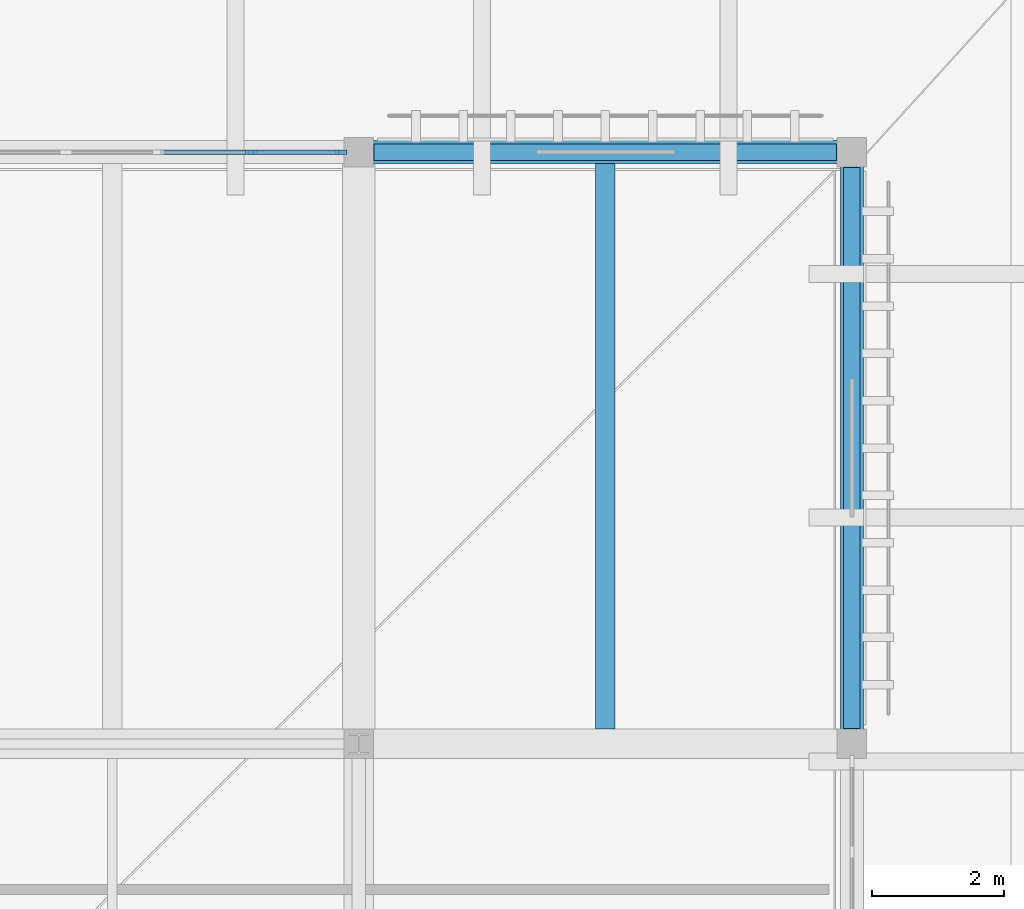
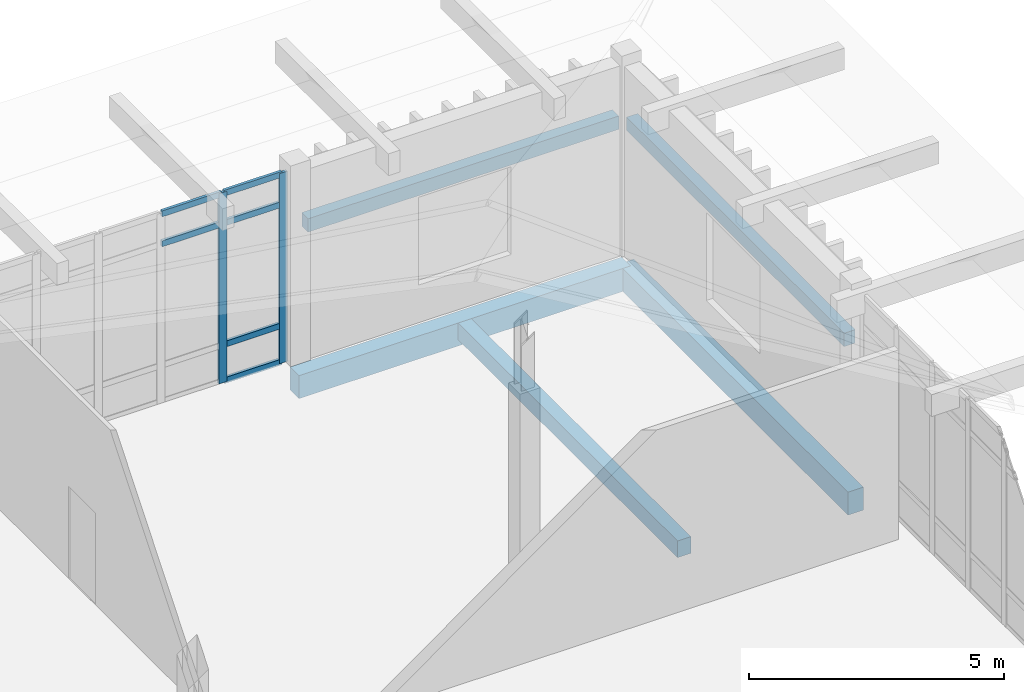
# One storey, part 72 of 131: 8 members, 5 beams, 1 element without a shape of its own.
"""IFC4 building model written with IfcOpenShell, lengths in metres."""

from ifc_helpers import new_model, si_unit, direction, frame, origin, origin_2d, place, context, subcontext, project, spatial, rectangle, extrude, material, layer, layer_set, material_profile, profile_set, type_object, element, aggregate, save


model = new_model("IFC4")

# Units and contexts
model_context = context("Model", 3, precision=1e-05, world=origin(), true_north=direction((0.0, 1.0)))
body_context = subcontext(model_context, "Body", "Model", "MODEL_VIEW")
ifc_project = project(units=[si_unit("LENGTHUNIT", "METRE"), si_unit("AREAUNIT", "SQUARE_METRE"), si_unit("VOLUMEUNIT", "CUBIC_METRE"), si_unit("PLANEANGLEUNIT", "RADIAN"), si_unit("MASSUNIT", "GRAM", prefix="KILO")], contexts=[model_context])

# Site, building, storey
site_placement = place(None, origin())
site = spatial("IfcSite", under=ifc_project, at=site_placement, CompositionType="ELEMENT")
building_placement = place(site_placement, origin())
building = spatial("IfcBuilding", under=site, at=building_placement, Name="Dalvernix Boulevard General Hospital", CompositionType="ELEMENT")
storey_placement = place(building_placement, frame((0.0, 0.0, 9.300048828125)))
storey = spatial("IfcBuildingStorey", under=building, at=storey_placement, Name="L02", CompositionType="ELEMENT", Elevation=9.300048828125)

# Beams
ifc_material_1 = material(Name="Concrete C35/45", Category="concrete")
ifc_material_profile_1 = material_profile(ifc_material_1, rectangle(XDim=0.300048828125, YDim=0.39990234375, at=origin_2d()), Name="RCB 300x400")
ifc_profile_set_1 = profile_set([ifc_material_profile_1], Name="Concrete C35/45")
beam_type_1 = type_object("IfcBeamType", Name="BM-JB-01", PredefinedType="JOIST", material=ifc_profile_set_1)
beam_1_placement = place(storey_placement, frame((168.75, 76.72509765625, -0.52001953125), z_axis=(0.0, 1.0, 0.0), x_axis=(-1.0, 0.0, 0.0)))
element("IfcBeam", 1, at=beam_1_placement, inside=storey, type_object=beam_type_1, Name="L02 secondary floor beam 23-L", PredefinedType="JOIST", context=body_context, shape_type="SweptSolid", body=[
    extrude(rectangle(XDim=0.300048828125, YDim=0.39990234375, at=origin_2d()), origin(), (0.0, 0.0, 1.0), 8.599853515625),
])
ifc_material_2 = material(Name="Precast concrete C40/50", Category="concrete")
ifc_material_profile_2 = material_profile(ifc_material_2, rectangle(XDim=0.25, YDim=0.320068359375, at=origin_2d()), Name="RCL 250x320")
ifc_profile_set_2 = profile_set([ifc_material_profile_2], Name="Precast concrete C40/50")
beam_type_2 = type_object("IfcBeamType", Name="BM-LB-01", PredefinedType="LINTEL", material=ifc_profile_set_2)
beam_2_placement = place(storey_placement, frame((165.235107421875, 85.5, 3.159912109375), z_axis=(1.0, 0.0, 0.0), x_axis=(0.0, 1.0, 0.0)))
element("IfcBeam", 2, at=beam_2_placement, inside=storey, type_object=beam_type_2, Name="L02 precast window lintel N 22-11", PredefinedType="LINTEL", context=body_context, shape_type="SweptSolid", body=[
    extrude(rectangle(XDim=0.25, YDim=0.320068359375, at=origin_2d()), origin(), (0.0, 0.0, 1.0), 7.02978515625),
])
beam_3_placement = place(storey_placement, frame((172.5, 85.264892578125, 3.159912109375), z_axis=(0.0, -1.0, 0.0), x_axis=(1.0, 0.0, 0.0)))
element("IfcBeam", 3, at=beam_3_placement, inside=storey, type_object=beam_type_2, Name="L02 precast window lintel E 23-10", PredefinedType="LINTEL", context=body_context, shape_type="SweptSolid", body=[
    extrude(rectangle(XDim=0.25, YDim=0.320068359375, at=origin_2d()), origin(), (0.0, 0.0, 1.0), 8.52978515625),
])
ifc_material_profile_3 = material_profile(ifc_material_1, rectangle(XDim=0.35009765625, YDim=0.550048828125, at=origin_2d()), Name="RCB 350x550")
ifc_profile_set_3 = profile_set([ifc_material_profile_3], Name="Concrete C35/45")
beam_type_3 = type_object("IfcBeamType", Name="BM-SB-01-E", PredefinedType="SPANDREL", material=ifc_profile_set_3)
beam_4_placement = place(storey_placement, frame((165.0, 85.5, -0.594970703125), z_axis=(1.0, 0.0, 0.0), x_axis=(0.0, 1.0, 0.0)))
element("IfcBeam", 4, at=beam_4_placement, inside=storey, type_object=beam_type_3, Name="L02 E-W girder M:23-24", PredefinedType="SPANDREL", context=body_context, shape_type="SweptSolid", body=[
    extrude(rectangle(XDim=0.35009765625, YDim=0.550048828125, at=origin_2d()), origin(), (0.0, 0.0, 1.0), 7.5),
])
beam_5_placement = place(storey_placement, frame((172.5, 76.5, -0.594970703125), z_axis=(0.0, 1.0, 0.0), x_axis=(-1.0, 0.0, 0.0)))
element("IfcBeam", 5, at=beam_5_placement, inside=storey, type_object=beam_type_3, Name="L02 N-S girder 24:L-M", PredefinedType="SPANDREL", context=body_context, shape_type="SweptSolid", body=[
    extrude(rectangle(XDim=0.35009765625, YDim=0.550048828125, at=origin_2d()), origin(), (0.0, 0.0, 1.0), 9.0),
])

# Curtain wall, members
ifc_material_3 = material(Name="Thermally broken aluminium and solar-control glass curtain wall", Category="aluminium")
ifc_layer = layer(ifc_material_3, 0.179931640625)
ifc_layer_set = layer_set([ifc_layer], Name="Thermally broken aluminium and solar-control glass curtain wall (CW-CW-B-70x46)")
curtain_wall_type = type_object("IfcCurtainWallType", Name="CW-CW-B-70x46", PredefinedType="USERDEFINED", material=ifc_layer_set)
curtain_wall_placement = place(storey_placement, origin())
curtain_wall = element("IfcCurtainWall", 6, at=curtain_wall_placement, inside=storey, type_object=curtain_wall_type, Name="L02 curtain wall CW-B-70x46 21-11", ObjectType="GLAZED FACADE", PredefinedType="USERDEFINED")
ifc_material_4 = material(Name="Aluminium EN AW-6060", Category="aluminium")
ifc_material_profile_4 = material_profile(ifc_material_4, rectangle(XDim=0.06494140625, YDim=0.179931640625, at=origin_2d()), Name="ALU MULL 65x180")
ifc_profile_set_4 = profile_set([ifc_material_profile_4], Name="Aluminium EN AW-6060")
member_type_1 = type_object("IfcMemberType", Name="MEM-CW-M2", PredefinedType="MULLION", material=ifc_profile_set_4)
member_1_placement = place(storey_placement, frame((163.35888671875, 85.5, 0.0), z_axis=(0.0, 0.0, 1.0), x_axis=(0.0, 1.0, 0.0)))
member_1 = element("IfcMember", 7, at=member_1_placement, type_object=member_type_1, Name="CW-B-70x46 mullion 5", PredefinedType="MULLION", context=body_context, shape_type="SweptSolid", body=[
    extrude(rectangle(XDim=0.06494140625, YDim=0.179931640625, at=origin_2d()), origin(), (0.0, 0.0, 1.0), 4.550048828125),
])
member_2_placement = place(storey_placement, frame((164.732421875, 85.5, 0.0), z_axis=(0.0, 0.0, 1.0), x_axis=(0.0, 1.0, 0.0)))
member_2 = element("IfcMember", 8, at=member_2_placement, type_object=member_type_1, Name="CW-B-70x46 mullion 6", PredefinedType="MULLION", context=body_context, shape_type="SweptSolid", body=[
    extrude(rectangle(XDim=0.06494140625, YDim=0.179931640625, at=origin_2d()), origin(), (0.0, 0.0, 1.0), 4.550048828125),
])
ifc_material_profile_5 = material_profile(ifc_material_4, rectangle(XDim=0.06494140625, YDim=0.139892578125, at=origin_2d()), Name="ALU TRAN 65x140")
ifc_profile_set_5 = profile_set([ifc_material_profile_5], Name="Aluminium EN AW-6060")
member_type_2 = type_object("IfcMemberType", Name="MEM-CW-T2", PredefinedType="USERDEFINED", material=ifc_profile_set_5)
member_3_placement = place(storey_placement, frame((161.985595703125, 85.5, 3.800048828125), z_axis=(1.0, 0.0, 0.0), x_axis=(0.0, 1.0, 0.0)))
member_3 = element("IfcMember", 9, at=member_3_placement, type_object=member_type_2, Name="CW-B-70x46 transom 4.3", ObjectType="TRANSOM", PredefinedType="USERDEFINED", context=body_context, shape_type="SweptSolid", body=[
    extrude(rectangle(XDim=0.06494140625, YDim=0.139892578125, at=origin_2d()), origin(), (0.0, 0.0, 1.0), 1.3408203125),
])
member_4_placement = place(storey_placement, frame((161.985595703125, 85.5, 4.517333984375), z_axis=(1.0, 0.0, 0.0), x_axis=(0.0, 1.0, 0.0)))
member_4 = element("IfcMember", 10, at=member_4_placement, type_object=member_type_2, Name="CW-B-70x46 transom 4.4", ObjectType="TRANSOM", PredefinedType="USERDEFINED", context=body_context, shape_type="SweptSolid", body=[
    extrude(rectangle(XDim=0.06494140625, YDim=0.139892578125, at=origin_2d()), origin(), (0.0, 0.0, 1.0), 1.3408203125),
])
member_5_placement = place(storey_placement, frame((163.3916015625, 85.5, 0.032470703125), z_axis=(1.0, 0.0, 0.0), x_axis=(0.0, 1.0, 0.0)))
member_5 = element("IfcMember", 11, at=member_5_placement, type_object=member_type_2, Name="CW-B-70x46 transom 5.1", ObjectType="TRANSOM", PredefinedType="USERDEFINED", context=body_context, shape_type="SweptSolid", body=[
    extrude(rectangle(XDim=0.06494140625, YDim=0.139892578125, at=origin_2d()), origin(), (0.0, 0.0, 1.0), 1.308349609375),
])
member_6_placement = place(storey_placement, frame((163.3916015625, 85.5, 0.89990234375), z_axis=(1.0, 0.0, 0.0), x_axis=(0.0, 1.0, 0.0)))
member_6 = element("IfcMember", 12, at=member_6_placement, type_object=member_type_2, Name="CW-B-70x46 transom 5.2", ObjectType="TRANSOM", PredefinedType="USERDEFINED", context=body_context, shape_type="SweptSolid", body=[
    extrude(rectangle(XDim=0.06494140625, YDim=0.139892578125, at=origin_2d()), origin(), (0.0, 0.0, 1.0), 1.308349609375),
])
member_7_placement = place(storey_placement, frame((163.3916015625, 85.5, 3.800048828125), z_axis=(1.0, 0.0, 0.0), x_axis=(0.0, 1.0, 0.0)))
member_7 = element("IfcMember", 13, at=member_7_placement, type_object=member_type_2, Name="CW-B-70x46 transom 5.3", ObjectType="TRANSOM", PredefinedType="USERDEFINED", context=body_context, shape_type="SweptSolid", body=[
    extrude(rectangle(XDim=0.06494140625, YDim=0.139892578125, at=origin_2d()), origin(), (0.0, 0.0, 1.0), 1.308349609375),
])
member_8_placement = place(storey_placement, frame((163.3916015625, 85.5, 4.517333984375), z_axis=(1.0, 0.0, 0.0), x_axis=(0.0, 1.0, 0.0)))
member_8 = element("IfcMember", 14, at=member_8_placement, type_object=member_type_2, Name="CW-B-70x46 transom 5.4", ObjectType="TRANSOM", PredefinedType="USERDEFINED", context=body_context, shape_type="SweptSolid", body=[
    extrude(rectangle(XDim=0.06494140625, YDim=0.139892578125, at=origin_2d()), origin(), (0.0, 0.0, 1.0), 1.308349609375),
])
aggregate(curtain_wall, [member_1, member_2, member_3, member_4, member_5, member_6, member_7, member_8])

save(model, "model.ifc")
